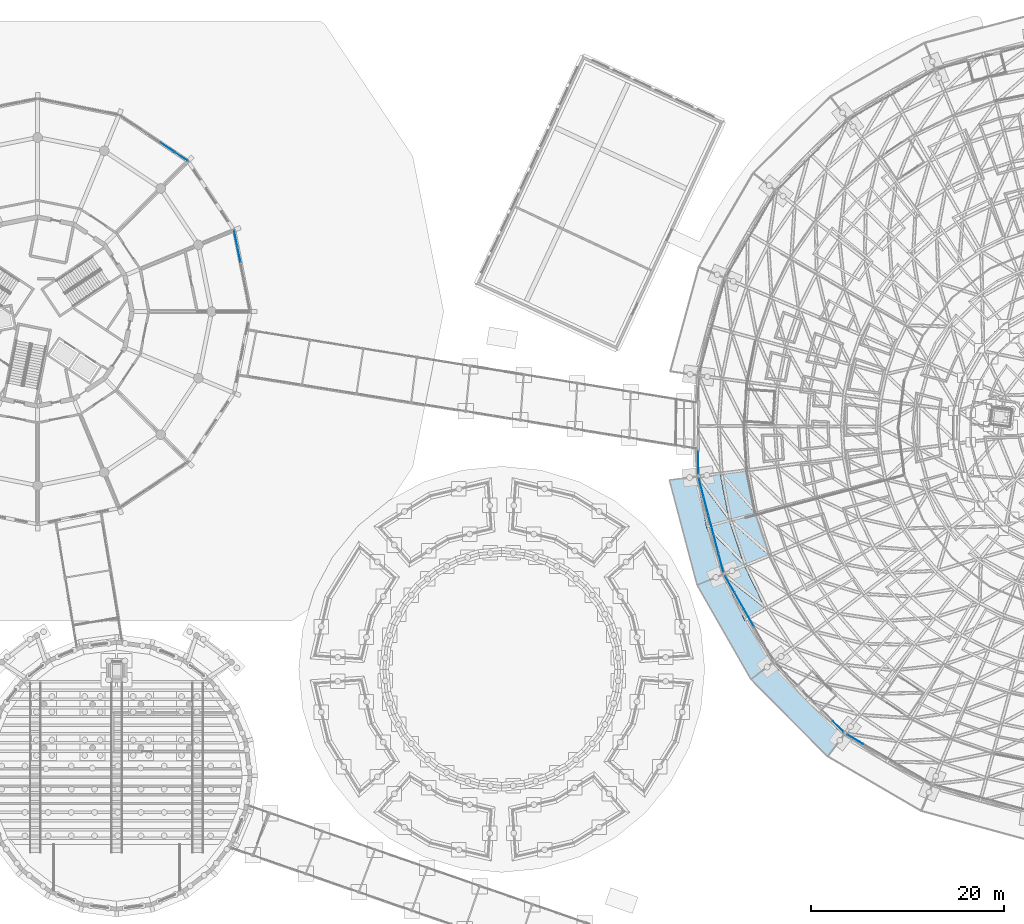
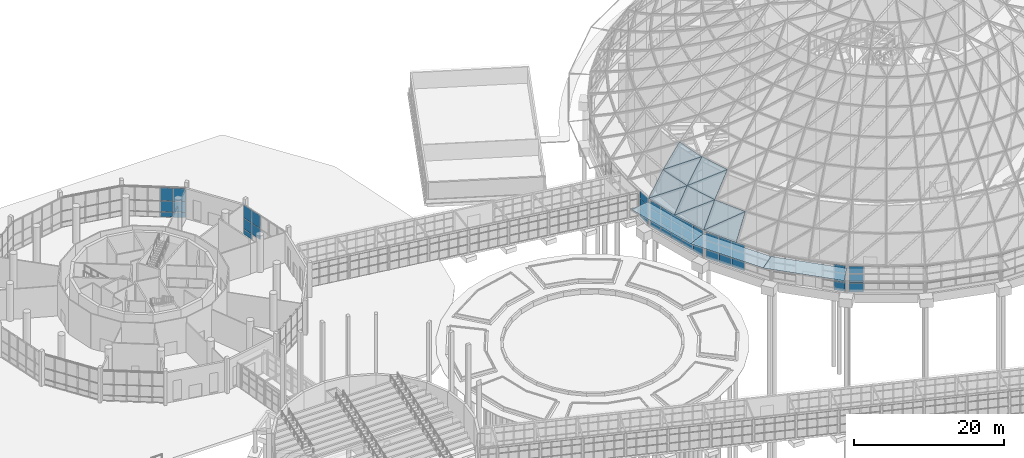
# One storey, part 133 of 226: 57 plates, 7 elements without a shape of their own.
"""IFC4 building model written with IfcOpenShell, lengths in metres."""

from ifc_helpers import new_model, si_unit, direction, frame, origin, origin_2d, place, context, subcontext, project, spatial, polyline, rectangle, outline, extrude, material, layer, layer_set, type_object, element, aggregate, save


model = new_model("IFC4")

# Units and contexts
model_context = context("Model", 3, precision=1e-05, world=origin(), true_north=direction((0.0, 1.0)))
body_context = subcontext(model_context, "Body", "Model", "MODEL_VIEW")
ifc_project = project(units=[si_unit("LENGTHUNIT", "METRE"), si_unit("AREAUNIT", "SQUARE_METRE"), si_unit("VOLUMEUNIT", "CUBIC_METRE"), si_unit("PLANEANGLEUNIT", "RADIAN"), si_unit("MASSUNIT", "GRAM", prefix="KILO")], contexts=[model_context])

# Site, building, storey
site_placement = place(None, origin())
site = spatial("IfcSite", under=ifc_project, at=site_placement, CompositionType="ELEMENT")
building_placement = place(site_placement, origin())
building = spatial("IfcBuilding", under=site, at=building_placement, Name="Ceibo Conservatory and Research Tower", CompositionType="ELEMENT")
storey_placement = place(building_placement, origin())
storey = spatial("IfcBuildingStorey", under=building, at=storey_placement, Name="L00", CompositionType="ELEMENT", Elevation=0.0)

# Plates
ifc_material_1 = material(Name="Laminated glass", Category="glass")
ifc_layer_1 = layer(ifc_material_1, 0.02490234375)
ifc_layer_set_1 = layer_set([ifc_layer_1], Name="Laminated glass")
plate_type_1 = type_object("IfcPlateType", Name="Canopy glass 25", PredefinedType="SHEET", material=ifc_layer_set_1)
plate_1_placement = place(storey_placement, frame((116.07177734375, 102.92041015625, 4.07275390625), z_axis=(0.044288249097, 0.011660109632, -0.998950745951), x_axis=(0.254609936999, -0.967043835605, 3.91581e-07)))
element("IfcPlate", 1, at=plate_1_placement, inside=storey, type_object=plate_type_1, Name="Brim canopy plate A-CP13", PredefinedType="SHEET", context=body_context, shape_type="SweptSolid", body=[
    extrude(outline(polyline([(0.0, 0.0), (10.507417023316929, 0.0), (10.866274092459353, 2.729502036445407), (-0.3590923696601267, 2.729316214879378), (0.0, 0.0)])), origin(), (0.0, 0.0, 1.0), 0.02490234375),
])
plate_2_placement = place(storey_placement, frame((118.7470703125, 92.75927734375, 4.07275390625), z_axis=(0.039761368949, 0.022726074159, -0.998950729062), x_axis=(0.496219024375, -0.868197373786, -3.70582e-07)))
element("IfcPlate", 2, at=plate_2_placement, inside=storey, type_object=plate_type_1, Name="Brim canopy plate A-CP14", PredefinedType="SHEET", context=body_context, shape_type="SweptSolid", body=[
    extrude(outline(polyline([(0.0, 0.0), (10.50718954005148, 8.881784197001252e-16), (10.866142204032347, 2.7292992462423933), (-0.35906190410069877, 2.729475098266783), (0.0, 0.0)])), origin(), (0.0, 0.0, 1.0), 0.02490234375),
])
plate_3_placement = place(storey_placement, frame((123.9609375, 83.636962890625, 4.07275390625), z_axis=(0.032525511113, 0.032242027404, -0.998950720905), x_axis=(0.704009708864, -0.7101903476, 2.99274e-07)))
element("IfcPlate", 3, at=plate_3_placement, inside=storey, type_object=plate_type_1, Name="Brim canopy plate A-CP15", PredefinedType="SHEET", context=body_context, shape_type="SweptSolid", body=[
    extrude(outline(polyline([(0.0, 0.0), (10.507265171700269, -1.7763568394002505e-15), (10.866350699170674, 2.7294475761618404), (-0.3589046418377598, 2.7293055616018607), (0.0, 0.0)])), origin(), (0.0, 0.0, 1.0), 0.02490234375),
])

# Curtain wall, plates
ifc_material_2 = material(Name="Aluminium and glass", Category="aluminium")
curtain_wall_type_1 = type_object("IfcCurtainWallType", Name="Drum curtain wall", PredefinedType="NOTDEFINED", material=ifc_material_2)
curtain_wall_1_placement = place(storey_placement, origin())
curtain_wall_1 = element("IfcCurtainWall", 4, at=curtain_wall_1_placement, inside=storey, type_object=curtain_wall_type_1, Name="Drum curtain wall A-CW12E", PredefinedType="NOTDEFINED")
ifc_layer_2 = layer(ifc_material_1, 0.028076171875)
ifc_layer_set_2 = layer_set([ifc_layer_2], Name="Laminated glass")
plate_type_2 = type_object("IfcPlateType", Name="Drum glass 28", PredefinedType="CURTAIN_PANEL", material=ifc_layer_set_2)
plate_4_placement = place(storey_placement, frame((116.325927734375, 104.349853515625, 0.06005859375), z_axis=(0.0, 0.0, 1.0), x_axis=(-0.004363300488, -0.999990480759, 0.0)))
plate_4 = element("IfcPlate", 5, at=plate_4_placement, type_object=plate_type_2, Name="A-CW12E panel 1.1", PredefinedType="CURTAIN_PANEL", context=body_context, shape_type="SweptSolid", body=[
    extrude(rectangle(XDim=2.26904296875, YDim=0.028076171875, at=origin_2d()), origin(), (0.0, 0.0, 1.0), 1.43994140625),
])
plate_5_placement = place(storey_placement, frame((116.325927734375, 104.349853515625, 1.56005859375), z_axis=(0.0, 0.0, 1.0), x_axis=(-0.004363300488, -0.999990480759, 0.0)))
plate_5 = element("IfcPlate", 6, at=plate_5_placement, type_object=plate_type_2, Name="A-CW12E panel 1.2", PredefinedType="CURTAIN_PANEL", context=body_context, shape_type="SweptSolid", body=[
    extrude(rectangle(XDim=2.26904296875, YDim=0.028076171875, at=origin_2d()), origin(), (0.0, 0.0, 1.0), 1.425048828125),
])
plate_6_placement = place(storey_placement, frame((116.325927734375, 104.349853515625, 3.044921875), z_axis=(0.0, 0.0, 1.0), x_axis=(-0.004363300488, -0.999990480759, 0.0)))
plate_6 = element("IfcPlate", 7, at=plate_6_placement, type_object=plate_type_2, Name="A-CW12E panel 1.3", PredefinedType="CURTAIN_PANEL", context=body_context, shape_type="SweptSolid", body=[
    extrude(rectangle(XDim=2.26904296875, YDim=0.028076171875, at=origin_2d()), origin(), (0.0, 0.0, 1.0), 1.233154296875),
])
aggregate(curtain_wall_1, [plate_4, plate_5, plate_6])

curtain_wall_2_placement = place(storey_placement, origin())
curtain_wall_2 = element("IfcCurtainWall", 8, at=curtain_wall_2_placement, inside=storey, type_object=curtain_wall_type_1, Name="Drum curtain wall A-CW13", PredefinedType="NOTDEFINED")
plate_7_placement = place(storey_placement, frame((116.630859375, 101.7705078125, 0.06005859375), z_axis=(0.0, 0.0, 1.0), x_axis=(0.254601962062, -0.967045935266, 0.0)))
plate_7 = element("IfcPlate", 9, at=plate_7_placement, type_object=plate_type_2, Name="A-CW13 panel 1.1", PredefinedType="CURTAIN_PANEL", context=body_context, shape_type="SweptSolid", body=[
    extrude(rectangle(XDim=1.917236328125, YDim=0.028076171875, at=origin_2d()), origin(), (0.0, 0.0, 1.0), 1.43994140625),
])
plate_8_placement = place(storey_placement, frame((116.630859375, 101.7705078125, 1.56005859375), z_axis=(0.0, 0.0, 1.0), x_axis=(0.254601962062, -0.967045935266, 0.0)))
plate_8 = element("IfcPlate", 10, at=plate_8_placement, type_object=plate_type_2, Name="A-CW13 panel 1.2", PredefinedType="CURTAIN_PANEL", context=body_context, shape_type="SweptSolid", body=[
    extrude(rectangle(XDim=1.917236328125, YDim=0.028076171875, at=origin_2d()), origin(), (0.0, 0.0, 1.0), 1.425048828125),
])
plate_9_placement = place(storey_placement, frame((116.630859375, 101.7705078125, 3.044921875), z_axis=(0.0, 0.0, 1.0), x_axis=(0.254601962062, -0.967045935266, 0.0)))
plate_9 = element("IfcPlate", 11, at=plate_9_placement, type_object=plate_type_2, Name="A-CW13 panel 1.3", PredefinedType="CURTAIN_PANEL", context=body_context, shape_type="SweptSolid", body=[
    extrude(rectangle(XDim=1.917236328125, YDim=0.028076171875, at=origin_2d()), origin(), (0.0, 0.0, 1.0), 1.233154296875),
])
plate_10_placement = place(storey_placement, frame((117.13818359375, 99.843994140625, 0.06005859375), z_axis=(0.0, 0.0, 1.0), x_axis=(0.254601962062, -0.967045935266, 0.0)))
plate_10 = element("IfcPlate", 12, at=plate_10_placement, type_object=plate_type_2, Name="A-CW13 panel 2.1", PredefinedType="CURTAIN_PANEL", context=body_context, shape_type="SweptSolid", body=[
    extrude(rectangle(XDim=1.947021484375, YDim=0.028076171875, at=origin_2d()), origin(), (0.0, 0.0, 1.0), 1.43994140625),
])
plate_11_placement = place(storey_placement, frame((117.13818359375, 99.843994140625, 1.56005859375), z_axis=(0.0, 0.0, 1.0), x_axis=(0.254601962062, -0.967045935266, 0.0)))
plate_11 = element("IfcPlate", 13, at=plate_11_placement, type_object=plate_type_2, Name="A-CW13 panel 2.2", PredefinedType="CURTAIN_PANEL", context=body_context, shape_type="SweptSolid", body=[
    extrude(rectangle(XDim=1.947021484375, YDim=0.028076171875, at=origin_2d()), origin(), (0.0, 0.0, 1.0), 1.425048828125),
])
plate_12_placement = place(storey_placement, frame((117.13818359375, 99.843994140625, 3.044921875), z_axis=(0.0, 0.0, 1.0), x_axis=(0.254601962062, -0.967045935266, 0.0)))
plate_12 = element("IfcPlate", 14, at=plate_12_placement, type_object=plate_type_2, Name="A-CW13 panel 2.3", PredefinedType="CURTAIN_PANEL", context=body_context, shape_type="SweptSolid", body=[
    extrude(rectangle(XDim=1.947021484375, YDim=0.028076171875, at=origin_2d()), origin(), (0.0, 0.0, 1.0), 1.233154296875),
])
plate_13_placement = place(storey_placement, frame((117.649169921875, 97.903076171875, 0.06005859375), z_axis=(0.0, 0.0, 1.0), x_axis=(0.254601962062, -0.967045935266, 0.0)))
plate_13 = element("IfcPlate", 15, at=plate_13_placement, type_object=plate_type_2, Name="A-CW13 panel 3.1", PredefinedType="CURTAIN_PANEL", context=body_context, shape_type="SweptSolid", body=[
    extrude(rectangle(XDim=1.947021484375, YDim=0.028076171875, at=origin_2d()), origin(), (0.0, 0.0, 1.0), 1.43994140625),
])
plate_14_placement = place(storey_placement, frame((117.649169921875, 97.903076171875, 1.56005859375), z_axis=(0.0, 0.0, 1.0), x_axis=(0.254601962062, -0.967045935266, 0.0)))
plate_14 = element("IfcPlate", 16, at=plate_14_placement, type_object=plate_type_2, Name="A-CW13 panel 3.2", PredefinedType="CURTAIN_PANEL", context=body_context, shape_type="SweptSolid", body=[
    extrude(rectangle(XDim=1.947021484375, YDim=0.028076171875, at=origin_2d()), origin(), (0.0, 0.0, 1.0), 1.425048828125),
])
plate_15_placement = place(storey_placement, frame((117.649169921875, 97.903076171875, 3.044921875), z_axis=(0.0, 0.0, 1.0), x_axis=(0.254601962062, -0.967045935266, 0.0)))
plate_15 = element("IfcPlate", 17, at=plate_15_placement, type_object=plate_type_2, Name="A-CW13 panel 3.3", PredefinedType="CURTAIN_PANEL", context=body_context, shape_type="SweptSolid", body=[
    extrude(rectangle(XDim=1.947021484375, YDim=0.028076171875, at=origin_2d()), origin(), (0.0, 0.0, 1.0), 1.233154296875),
])
plate_16_placement = place(storey_placement, frame((118.16015625, 95.962158203125, 0.06005859375), z_axis=(0.0, 0.0, 1.0), x_axis=(0.254601962062, -0.967045935266, 0.0)))
plate_16 = element("IfcPlate", 18, at=plate_16_placement, type_object=plate_type_2, Name="A-CW13 panel 4.1", PredefinedType="CURTAIN_PANEL", context=body_context, shape_type="SweptSolid", body=[
    extrude(rectangle(XDim=1.947021484375, YDim=0.028076171875, at=origin_2d()), origin(), (0.0, 0.0, 1.0), 1.43994140625),
])
plate_17_placement = place(storey_placement, frame((118.16015625, 95.962158203125, 1.56005859375), z_axis=(0.0, 0.0, 1.0), x_axis=(0.254601962062, -0.967045935266, 0.0)))
plate_17 = element("IfcPlate", 19, at=plate_17_placement, type_object=plate_type_2, Name="A-CW13 panel 4.2", PredefinedType="CURTAIN_PANEL", context=body_context, shape_type="SweptSolid", body=[
    extrude(rectangle(XDim=1.947021484375, YDim=0.028076171875, at=origin_2d()), origin(), (0.0, 0.0, 1.0), 1.425048828125),
])
plate_18_placement = place(storey_placement, frame((118.16015625, 95.962158203125, 3.044921875), z_axis=(0.0, 0.0, 1.0), x_axis=(0.254601962062, -0.967045935266, 0.0)))
plate_18 = element("IfcPlate", 20, at=plate_18_placement, type_object=plate_type_2, Name="A-CW13 panel 4.3", PredefinedType="CURTAIN_PANEL", context=body_context, shape_type="SweptSolid", body=[
    extrude(rectangle(XDim=1.947021484375, YDim=0.028076171875, at=origin_2d()), origin(), (0.0, 0.0, 1.0), 1.233154296875),
])
plate_19_placement = place(storey_placement, frame((118.667236328125, 94.03564453125, 0.06005859375), z_axis=(0.0, 0.0, 1.0), x_axis=(0.254601962062, -0.967045935266, 0.0)))
plate_19 = element("IfcPlate", 21, at=plate_19_placement, type_object=plate_type_2, Name="A-CW13 panel 5.1", PredefinedType="CURTAIN_PANEL", context=body_context, shape_type="SweptSolid", body=[
    extrude(rectangle(XDim=1.917236328125, YDim=0.028076171875, at=origin_2d()), origin(), (0.0, 0.0, 1.0), 1.43994140625),
])
plate_20_placement = place(storey_placement, frame((118.667236328125, 94.03564453125, 1.56005859375), z_axis=(0.0, 0.0, 1.0), x_axis=(0.254601962062, -0.967045935266, 0.0)))
plate_20 = element("IfcPlate", 22, at=plate_20_placement, type_object=plate_type_2, Name="A-CW13 panel 5.2", PredefinedType="CURTAIN_PANEL", context=body_context, shape_type="SweptSolid", body=[
    extrude(rectangle(XDim=1.917236328125, YDim=0.028076171875, at=origin_2d()), origin(), (0.0, 0.0, 1.0), 1.425048828125),
])
plate_21_placement = place(storey_placement, frame((118.667236328125, 94.03564453125, 3.044921875), z_axis=(0.0, 0.0, 1.0), x_axis=(0.254601962062, -0.967045935266, 0.0)))
plate_21 = element("IfcPlate", 23, at=plate_21_placement, type_object=plate_type_2, Name="A-CW13 panel 5.3", PredefinedType="CURTAIN_PANEL", context=body_context, shape_type="SweptSolid", body=[
    extrude(rectangle(XDim=1.917236328125, YDim=0.028076171875, at=origin_2d()), origin(), (0.0, 0.0, 1.0), 1.233154296875),
])
aggregate(curtain_wall_2, [plate_7, plate_8, plate_9, plate_10, plate_11, plate_12, plate_13, plate_14, plate_15, plate_16, plate_17, plate_18, plate_19, plate_20, plate_21])

curtain_wall_3_placement = place(storey_placement, origin())
curtain_wall_3 = element("IfcCurtainWall", 24, at=curtain_wall_3_placement, inside=storey, type_object=curtain_wall_type_1, Name="Drum curtain wall A-CW14", PredefinedType="NOTDEFINED")
plate_22_placement = place(storey_placement, frame((119.584716796875, 91.793212890625, 0.06005859375), z_axis=(0.0, 0.0, 1.0), x_axis=(0.49621649228, -0.868198821002, 0.0)))
plate_22 = element("IfcPlate", 25, at=plate_22_placement, type_object=plate_type_2, Name="A-CW14 panel 1.1", PredefinedType="CURTAIN_PANEL", context=body_context, shape_type="SweptSolid", body=[
    extrude(rectangle(XDim=1.917236328125, YDim=0.028076171875, at=origin_2d()), origin(), (0.0, 0.0, 1.0), 1.43994140625),
])
plate_23_placement = place(storey_placement, frame((119.584716796875, 91.793212890625, 1.56005859375), z_axis=(0.0, 0.0, 1.0), x_axis=(0.49621649228, -0.868198821002, 0.0)))
plate_23 = element("IfcPlate", 26, at=plate_23_placement, type_object=plate_type_2, Name="A-CW14 panel 1.2", PredefinedType="CURTAIN_PANEL", context=body_context, shape_type="SweptSolid", body=[
    extrude(rectangle(XDim=1.917236328125, YDim=0.028076171875, at=origin_2d()), origin(), (0.0, 0.0, 1.0), 1.425048828125),
])
plate_24_placement = place(storey_placement, frame((119.584716796875, 91.793212890625, 3.044921875), z_axis=(0.0, 0.0, 1.0), x_axis=(0.49621649228, -0.868198821002, 0.0)))
plate_24 = element("IfcPlate", 27, at=plate_24_placement, type_object=plate_type_2, Name="A-CW14 panel 1.3", PredefinedType="CURTAIN_PANEL", context=body_context, shape_type="SweptSolid", body=[
    extrude(rectangle(XDim=1.917236328125, YDim=0.028076171875, at=origin_2d()), origin(), (0.0, 0.0, 1.0), 1.233154296875),
])
plate_25_placement = place(storey_placement, frame((120.5732421875, 90.063720703125, 0.06005859375), z_axis=(0.0, 0.0, 1.0), x_axis=(0.49621649228, -0.868198821002, 0.0)))
plate_25 = element("IfcPlate", 28, at=plate_25_placement, type_object=plate_type_2, Name="A-CW14 panel 2.1", PredefinedType="CURTAIN_PANEL", context=body_context, shape_type="SweptSolid", body=[
    extrude(rectangle(XDim=1.947021484375, YDim=0.028076171875, at=origin_2d()), origin(), (0.0, 0.0, 1.0), 1.43994140625),
])
plate_26_placement = place(storey_placement, frame((120.5732421875, 90.063720703125, 1.56005859375), z_axis=(0.0, 0.0, 1.0), x_axis=(0.49621649228, -0.868198821002, 0.0)))
plate_26 = element("IfcPlate", 29, at=plate_26_placement, type_object=plate_type_2, Name="A-CW14 panel 2.2", PredefinedType="CURTAIN_PANEL", context=body_context, shape_type="SweptSolid", body=[
    extrude(rectangle(XDim=1.947021484375, YDim=0.028076171875, at=origin_2d()), origin(), (0.0, 0.0, 1.0), 1.425048828125),
])
plate_27_placement = place(storey_placement, frame((120.5732421875, 90.063720703125, 3.044921875), z_axis=(0.0, 0.0, 1.0), x_axis=(0.49621649228, -0.868198821002, 0.0)))
plate_27 = element("IfcPlate", 30, at=plate_27_placement, type_object=plate_type_2, Name="A-CW14 panel 2.3", PredefinedType="CURTAIN_PANEL", context=body_context, shape_type="SweptSolid", body=[
    extrude(rectangle(XDim=1.947021484375, YDim=0.028076171875, at=origin_2d()), origin(), (0.0, 0.0, 1.0), 1.233154296875),
])
plate_28_placement = place(storey_placement, frame((121.569091796875, 88.321044921875, 0.06005859375), z_axis=(0.0, 0.0, 1.0), x_axis=(0.49621649228, -0.868198821002, 0.0)))
plate_28 = element("IfcPlate", 31, at=plate_28_placement, type_object=plate_type_2, Name="A-CW14 panel 3.1", PredefinedType="CURTAIN_PANEL", context=body_context, shape_type="SweptSolid", body=[
    extrude(rectangle(XDim=1.947021484375, YDim=0.028076171875, at=origin_2d()), origin(), (0.0, 0.0, 1.0), 1.43994140625),
])
plate_29_placement = place(storey_placement, frame((121.569091796875, 88.321044921875, 1.56005859375), z_axis=(0.0, 0.0, 1.0), x_axis=(0.49621649228, -0.868198821002, 0.0)))
plate_29 = element("IfcPlate", 32, at=plate_29_placement, type_object=plate_type_2, Name="A-CW14 panel 3.2", PredefinedType="CURTAIN_PANEL", context=body_context, shape_type="SweptSolid", body=[
    extrude(rectangle(XDim=1.947021484375, YDim=0.028076171875, at=origin_2d()), origin(), (0.0, 0.0, 1.0), 1.425048828125),
])
plate_30_placement = place(storey_placement, frame((121.569091796875, 88.321044921875, 3.044921875), z_axis=(0.0, 0.0, 1.0), x_axis=(0.49621649228, -0.868198821002, 0.0)))
plate_30 = element("IfcPlate", 33, at=plate_30_placement, type_object=plate_type_2, Name="A-CW14 panel 3.3", PredefinedType="CURTAIN_PANEL", context=body_context, shape_type="SweptSolid", body=[
    extrude(rectangle(XDim=1.947021484375, YDim=0.028076171875, at=origin_2d()), origin(), (0.0, 0.0, 1.0), 1.233154296875),
])
aggregate(curtain_wall_3, [plate_22, plate_23, plate_24, plate_25, plate_26, plate_27, plate_28, plate_29, plate_30])

curtain_wall_4_placement = place(storey_placement, origin())
curtain_wall_4 = element("IfcCurtainWall", 34, at=curtain_wall_4_placement, inside=storey, type_object=curtain_wall_type_1, Name="Drum curtain wall A-CW15E", PredefinedType="NOTDEFINED")
plate_31_placement = place(storey_placement, frame((130.791259765625, 77.0986328125, 0.06005859375), z_axis=(0.0, 0.0, 1.0), x_axis=(0.704014749779, -0.71018535052, 0.0)))
plate_31 = element("IfcPlate", 35, at=plate_31_placement, type_object=plate_type_2, Name="A-CW15E panel 2.1", PredefinedType="CURTAIN_PANEL", context=body_context, shape_type="SweptSolid", body=[
    extrude(rectangle(XDim=1.51904296875, YDim=0.028076171875, at=origin_2d()), origin(), (0.0, 0.0, 1.0), 1.43994140625),
])
plate_32_placement = place(storey_placement, frame((130.791259765625, 77.0986328125, 1.56005859375), z_axis=(0.0, 0.0, 1.0), x_axis=(0.704014749779, -0.71018535052, 0.0)))
plate_32 = element("IfcPlate", 36, at=plate_32_placement, type_object=plate_type_2, Name="A-CW15E panel 2.2", PredefinedType="CURTAIN_PANEL", context=body_context, shape_type="SweptSolid", body=[
    extrude(rectangle(XDim=1.51904296875, YDim=0.028076171875, at=origin_2d()), origin(), (0.0, 0.0, 1.0), 1.425048828125),
])
plate_33_placement = place(storey_placement, frame((130.791259765625, 77.0986328125, 3.044921875), z_axis=(0.0, 0.0, 1.0), x_axis=(0.704014749779, -0.71018535052, 0.0)))
plate_33 = element("IfcPlate", 37, at=plate_33_placement, type_object=plate_type_2, Name="A-CW15E panel 2.3", PredefinedType="CURTAIN_PANEL", context=body_context, shape_type="SweptSolid", body=[
    extrude(rectangle(XDim=1.51904296875, YDim=0.028076171875, at=origin_2d()), origin(), (0.0, 0.0, 1.0), 1.233154296875),
])
aggregate(curtain_wall_4, [plate_31, plate_32, plate_33])

curtain_wall_5_placement = place(storey_placement, origin())
curtain_wall_5 = element("IfcCurtainWall", 38, at=curtain_wall_5_placement, inside=storey, type_object=curtain_wall_type_1, Name="Drum curtain wall A-CW16", PredefinedType="NOTDEFINED")
plate_34_placement = place(storey_placement, frame((132.566650390625, 75.7568359375, 0.06005859375), z_axis=(0.0, 0.0, 1.0), x_axis=(0.863835508167, -0.503773971965, 0.0)))
plate_34 = element("IfcPlate", 39, at=plate_34_placement, type_object=plate_type_2, Name="A-CW16 panel 1.1", PredefinedType="CURTAIN_PANEL", context=body_context, shape_type="SweptSolid", body=[
    extrude(rectangle(XDim=1.917236328125, YDim=0.028076171875, at=origin_2d()), origin(), (0.0, 0.0, 1.0), 1.43994140625),
])
plate_35_placement = place(storey_placement, frame((132.566650390625, 75.7568359375, 1.56005859375), z_axis=(0.0, 0.0, 1.0), x_axis=(0.863835508167, -0.503773971965, 0.0)))
plate_35 = element("IfcPlate", 40, at=plate_35_placement, type_object=plate_type_2, Name="A-CW16 panel 1.2", PredefinedType="CURTAIN_PANEL", context=body_context, shape_type="SweptSolid", body=[
    extrude(rectangle(XDim=1.917236328125, YDim=0.028076171875, at=origin_2d()), origin(), (0.0, 0.0, 1.0), 1.425048828125),
])
plate_36_placement = place(storey_placement, frame((132.566650390625, 75.7568359375, 3.044921875), z_axis=(0.0, 0.0, 1.0), x_axis=(0.863835508167, -0.503773971965, 0.0)))
plate_36 = element("IfcPlate", 41, at=plate_36_placement, type_object=plate_type_2, Name="A-CW16 panel 1.3", PredefinedType="CURTAIN_PANEL", context=body_context, shape_type="SweptSolid", body=[
    extrude(rectangle(XDim=1.917236328125, YDim=0.028076171875, at=origin_2d()), origin(), (0.0, 0.0, 1.0), 1.233154296875),
])
aggregate(curtain_wall_5, [plate_34, plate_35, plate_36])

# Plates
ifc_layer_3 = layer(ifc_material_1, 0.035888671875)
ifc_layer_set_3 = layer_set([ifc_layer_3], Name="Laminated glass")
plate_type_3 = type_object("IfcPlateType", Name="Gridshell roof glass 36", PredefinedType="SHEET", material=ifc_layer_set_3)
plate_37_placement = place(storey_placement, frame((116.15380859375, 102.930908203125, 4.601806640625), z_axis=(-0.814738778815, -0.158319653824, 0.557795311479), x_axis=(0.190751500946, -0.981638357486, 0.0)))
element("IfcPlate", 42, at=plate_37_placement, inside=storey, type_object=plate_type_3, Name="Glass panel A-P01-049", PredefinedType="SHEET", context=body_context, shape_type="SweptSolid", body=[
    extrude(outline(polyline([(0.0, 0.0), (5.253941702457205, 1.1102230246251565e-16), (5.093939743978923, 4.374936585347089), (0.0, 0.0)])), origin(), (0.0, 0.0, -1.0), 0.035888671875),
])
plate_38_placement = place(storey_placement, frame((116.15380859375, 102.930908203125, 4.601806640625), z_axis=(-0.814794412678, -0.158457346714, 0.557674936088), x_axis=(0.501458973527, -0.675362560417, 0.540762711229)))
element("IfcPlate", 43, at=plate_38_placement, inside=storey, type_object=plate_type_3, Name="Glass panel A-P01-050", PredefinedType="SHEET", context=body_context, shape_type="SweptSolid", body=[
    extrude(outline(polyline([(0.0, 0.0), (6.71478162274072, 8.881784197001252e-16), (2.9715025227845504, 3.214375672527901), (0.0, 0.0)])), origin(), (0.0, 0.0, -1.0), 0.035888671875),
])
plate_39_placement = place(storey_placement, frame((117.156005859375, 97.7734375, 4.601806640625), z_axis=(-0.787104212811, -0.263319331949, 0.557790182414), x_axis=(0.317259089309, -0.948338900526, 0.0)))
element("IfcPlate", 44, at=plate_39_placement, inside=storey, type_object=plate_type_3, Name="Glass panel A-P01-051", PredefinedType="SHEET", context=body_context, shape_type="SweptSolid", body=[
    extrude(outline(polyline([(0.0, 0.0), (5.254355962289331, 0.0), (5.094263083208822, 4.374918415704696), (0.0, 0.0)])), origin(), (0.0, 0.0, -1.0), 0.035888671875),
])
plate_40_placement = place(storey_placement, frame((117.156005859375, 97.7734375, 4.601806640625), z_axis=(-0.787102300093, -0.263311939698, 0.55779637109), x_axis=(0.585318108136, -0.60415125181, 0.540743910945)))
element("IfcPlate", 45, at=plate_40_placement, inside=storey, type_object=plate_type_3, Name="Glass panel A-P01-052", PredefinedType="SHEET", context=body_context, shape_type="SweptSolid", body=[
    extrude(outline(polyline([(0.0, 0.0), (6.71501507853976, -4.440892098500626e-16), (2.9716491720905545, 3.214805118594104), (0.0, 0.0)])), origin(), (0.0, 0.0, -1.0), 0.035888671875),
])
plate_41_placement = place(storey_placement, frame((118.822998046875, 92.79052734375, 4.601806640625), z_axis=(-0.745971097704, -0.363884578057, 0.557776958328), x_axis=(0.43841997039, -0.898770231796, 0.0)))
element("IfcPlate", 46, at=plate_41_placement, inside=storey, type_object=plate_type_3, Name="Glass panel A-P01-053", PredefinedType="SHEET", context=body_context, shape_type="SweptSolid", body=[
    extrude(outline(polyline([(0.0, 0.0), (5.254575733512763, 0.0), (5.094047725656487, 4.374871571375479), (0.0, 0.0)])), origin(), (0.0, 0.0, -1.0), 0.035888671875),
])
plate_42_placement = place(storey_placement, frame((118.822998046875, 92.79052734375, 4.601806640625), z_axis=(-0.745968972597, -0.363867270271, 0.557791091312), x_axis=(0.659215420982, -0.52250757349, 0.540759525469)))
element("IfcPlate", 47, at=plate_42_placement, inside=storey, type_object=plate_type_3, Name="Glass panel A-P01-054", PredefinedType="SHEET", context=body_context, shape_type="SweptSolid", body=[
    extrude(outline(polyline([(0.0, 0.0), (6.714821181334271, 0.0), (2.9717850009710016, 3.2146593570716235), (0.0, 0.0)])), origin(), (0.0, 0.0, -1.0), 0.035888671875),
])
plate_43_placement = place(storey_placement, frame((118.5791015625, 103.2392578125, 8.23291015625), z_axis=(-0.760353598471, -0.147869955787, 0.632453066613), x_axis=(0.190898795953, -0.981609723721, 0.0)))
element("IfcPlate", 48, at=plate_43_placement, inside=storey, type_object=plate_type_3, Name="Glass panel A-P02-049", PredefinedType="SHEET", context=body_context, shape_type="SweptSolid", body=[
    extrude(outline(polyline([(0.0, 0.0), (4.933999329581213, -1.1102230246251565e-16), (4.752811163246886, 4.372854110007431), (0.0, 0.0)])), origin(), (0.0, 0.0, -1.0), 0.035888671875),
])
plate_44_placement = place(storey_placement, frame((118.5791015625, 103.2392578125, 8.23291015625), z_axis=(-0.760356662597, -0.14787700298, 0.6324477351), x_axis=(0.560829986925, -0.640629939904, 0.524464494379)))
element("IfcPlate", 49, at=plate_44_placement, inside=storey, type_object=plate_type_3, Name="Glass panel A-P02-050", PredefinedType="SHEET", context=body_context, shape_type="SweptSolid", body=[
    extrude(outline(polyline([(0.0, 0.0), (6.45841056459661, 4.440892098500626e-16), (3.0939020786154625, 3.0955052885199965), (0.0, 0.0)])), origin(), (0.0, 0.0, -1.0), 0.035888671875),
])
plate_45_placement = place(storey_placement, frame((119.52099609375, 98.39599609375, 8.23291015625), z_axis=(-0.734540709945, -0.245728336838, 0.632508916861), x_axis=(0.317251772576, -0.948341348248, 0.0)))
element("IfcPlate", 50, at=plate_45_placement, inside=storey, type_object=plate_type_3, Name="Glass panel A-P02-051", PredefinedType="SHEET", context=body_context, shape_type="SweptSolid", body=[
    extrude(outline(polyline([(0.0, 0.0), (4.934344967683669, -1.1102230246251565e-16), (4.753199402066526, 4.373111577510651), (0.0, 0.0)])), origin(), (0.0, 0.0, -1.0), 0.035888671875),
])
plate_46_placement = place(storey_placement, frame((119.52099609375, 98.39599609375, 8.23291015625), z_axis=(-0.734562872889, -0.245805582972, 0.632453161233), x_axis=(0.639601529677, -0.562037417692, 0.524427139219)))
element("IfcPlate", 51, at=plate_46_placement, inside=storey, type_object=plate_type_3, Name="Glass panel A-P02-052", PredefinedType="SHEET", context=body_context, shape_type="SweptSolid", body=[
    extrude(outline(polyline([(0.0, 0.0), (6.458870599815673, 0.0), (3.093895885686849, 3.0955597987372916), (0.0, 0.0)])), origin(), (0.0, 0.0, -1.0), 0.035888671875),
])

# Curtain wall, plates
curtain_wall_type_2 = type_object("IfcCurtainWallType", Name="Curtain wall CW1", PredefinedType="NOTDEFINED", material=ifc_material_2)
curtain_wall_6_placement = place(storey_placement, origin())
curtain_wall_6 = element("IfcCurtainWall", 52, at=curtain_wall_6_placement, inside=storey, type_object=curtain_wall_type_2, Name="CW-00.01", PredefinedType="NOTDEFINED")
ifc_material_3 = material(Name="Glass", Category="glass")
ifc_layer_4 = layer(ifc_material_3, 0.028076171875)
ifc_layer_set_4 = layer_set([ifc_layer_4], Name="Glass")
plate_type_4 = type_object("IfcPlateType", Name="Insulated glass panel 28", PredefinedType="CURTAIN_PANEL", material=ifc_layer_set_4)
plate_47_placement = place(storey_placement, frame((68.82763671875, 125.893310546875, 0.93017578125), z_axis=(0.0, 0.0, 1.0), x_axis=(-0.195090279221, 0.980785288916, 0.0)))
plate_47 = element("IfcPlate", 53, at=plate_47_placement, type_object=plate_type_4, Name="CW-00.01 panel 4.2", PredefinedType="CURTAIN_PANEL", context=body_context, shape_type="SweptSolid", body=[
    extrude(rectangle(XDim=1.65673828125, YDim=0.028076171875, at=origin_2d()), origin(), (0.0, 0.0, 1.0), 1.739990234375),
])
plate_48_placement = place(storey_placement, frame((68.82763671875, 125.893310546875, 2.72998046875), z_axis=(0.0, 0.0, 1.0), x_axis=(-0.195090279221, 0.980785288916, 0.0)))
plate_48 = element("IfcPlate", 54, at=plate_48_placement, type_object=plate_type_4, Name="CW-00.01 panel 4.3", PredefinedType="CURTAIN_PANEL", context=body_context, shape_type="SweptSolid", body=[
    extrude(rectangle(XDim=1.65673828125, YDim=0.028076171875, at=origin_2d()), origin(), (0.0, 0.0, 1.0), 2.110107421875),
])
plate_49_placement = place(storey_placement, frame((68.495849609375, 127.5625, 0.06005859375), z_axis=(0.0, 0.0, 1.0), x_axis=(-0.195090279221, 0.980785288916, 0.0)))
plate_49 = element("IfcPlate", 55, at=plate_49_placement, type_object=plate_type_4, Name="CW-00.01 panel 5.1", PredefinedType="CURTAIN_PANEL", context=body_context, shape_type="SweptSolid", body=[
    extrude(rectangle(XDim=1.626708984375, YDim=0.028076171875, at=origin_2d()), origin(), (0.0, 0.0, 1.0), 0.81005859375),
])
plate_50_placement = place(storey_placement, frame((68.495849609375, 127.5625, 0.93017578125), z_axis=(0.0, 0.0, 1.0), x_axis=(-0.195090279221, 0.980785288916, 0.0)))
plate_50 = element("IfcPlate", 56, at=plate_50_placement, type_object=plate_type_4, Name="CW-00.01 panel 5.2", PredefinedType="CURTAIN_PANEL", context=body_context, shape_type="SweptSolid", body=[
    extrude(rectangle(XDim=1.626708984375, YDim=0.028076171875, at=origin_2d()), origin(), (0.0, 0.0, 1.0), 1.739990234375),
])
plate_51_placement = place(storey_placement, frame((68.495849609375, 127.5625, 2.72998046875), z_axis=(0.0, 0.0, 1.0), x_axis=(-0.195090279221, 0.980785288916, 0.0)))
plate_51 = element("IfcPlate", 57, at=plate_51_placement, type_object=plate_type_4, Name="CW-00.01 panel 5.3", PredefinedType="CURTAIN_PANEL", context=body_context, shape_type="SweptSolid", body=[
    extrude(rectangle(XDim=1.626708984375, YDim=0.028076171875, at=origin_2d()), origin(), (0.0, 0.0, 1.0), 2.110107421875),
])
aggregate(curtain_wall_6, [plate_47, plate_48, plate_49, plate_50, plate_51])

curtain_wall_7_placement = place(storey_placement, origin())
curtain_wall_7 = element("IfcCurtainWall", 58, at=curtain_wall_7_placement, inside=storey, type_object=curtain_wall_type_2, Name="CW-00.03", PredefinedType="NOTDEFINED")
plate_52_placement = place(storey_placement, frame((62.830078125, 136.04150390625, 0.06005859375), z_axis=(0.0, 0.0, 1.0), x_axis=(-0.831469562724, 0.555570307219, 0.0)))
plate_52 = element("IfcPlate", 59, at=plate_52_placement, type_object=plate_type_4, Name="CW-00.03 panel 1.1", PredefinedType="CURTAIN_PANEL", context=body_context, shape_type="SweptSolid", body=[
    extrude(rectangle(XDim=1.626708984375, YDim=0.028076171875, at=origin_2d()), origin(), (0.0, 0.0, 1.0), 0.81005859375),
])
plate_53_placement = place(storey_placement, frame((62.830078125, 136.04150390625, 0.93017578125), z_axis=(0.0, 0.0, 1.0), x_axis=(-0.831469562724, 0.555570307219, 0.0)))
plate_53 = element("IfcPlate", 60, at=plate_53_placement, type_object=plate_type_4, Name="CW-00.03 panel 1.2", PredefinedType="CURTAIN_PANEL", context=body_context, shape_type="SweptSolid", body=[
    extrude(rectangle(XDim=1.626708984375, YDim=0.028076171875, at=origin_2d()), origin(), (0.0, 0.0, 1.0), 1.739990234375),
])
plate_54_placement = place(storey_placement, frame((62.830078125, 136.04150390625, 2.72998046875), z_axis=(0.0, 0.0, 1.0), x_axis=(-0.831469562724, 0.555570307219, 0.0)))
plate_54 = element("IfcPlate", 61, at=plate_54_placement, type_object=plate_type_4, Name="CW-00.03 panel 1.3", PredefinedType="CURTAIN_PANEL", context=body_context, shape_type="SweptSolid", body=[
    extrude(rectangle(XDim=1.626708984375, YDim=0.028076171875, at=origin_2d()), origin(), (0.0, 0.0, 1.0), 2.110107421875),
])
plate_55_placement = place(storey_placement, frame((61.4150390625, 136.987060546875, 0.06005859375), z_axis=(0.0, 0.0, 1.0), x_axis=(-0.831469562724, 0.555570307219, 0.0)))
plate_55 = element("IfcPlate", 62, at=plate_55_placement, type_object=plate_type_4, Name="CW-00.03 panel 2.1", PredefinedType="CURTAIN_PANEL", context=body_context, shape_type="SweptSolid", body=[
    extrude(rectangle(XDim=1.65673828125, YDim=0.028076171875, at=origin_2d()), origin(), (0.0, 0.0, 1.0), 0.81005859375),
])
plate_56_placement = place(storey_placement, frame((61.4150390625, 136.987060546875, 0.93017578125), z_axis=(0.0, 0.0, 1.0), x_axis=(-0.831469562724, 0.555570307219, 0.0)))
plate_56 = element("IfcPlate", 63, at=plate_56_placement, type_object=plate_type_4, Name="CW-00.03 panel 2.2", PredefinedType="CURTAIN_PANEL", context=body_context, shape_type="SweptSolid", body=[
    extrude(rectangle(XDim=1.65673828125, YDim=0.028076171875, at=origin_2d()), origin(), (0.0, 0.0, 1.0), 1.739990234375),
])
plate_57_placement = place(storey_placement, frame((61.4150390625, 136.987060546875, 2.72998046875), z_axis=(0.0, 0.0, 1.0), x_axis=(-0.831469562724, 0.555570307219, 0.0)))
plate_57 = element("IfcPlate", 64, at=plate_57_placement, type_object=plate_type_4, Name="CW-00.03 panel 2.3", PredefinedType="CURTAIN_PANEL", context=body_context, shape_type="SweptSolid", body=[
    extrude(rectangle(XDim=1.65673828125, YDim=0.028076171875, at=origin_2d()), origin(), (0.0, 0.0, 1.0), 2.110107421875),
])
aggregate(curtain_wall_7, [plate_52, plate_53, plate_54, plate_55, plate_56, plate_57])

save(model, "model.ifc")
